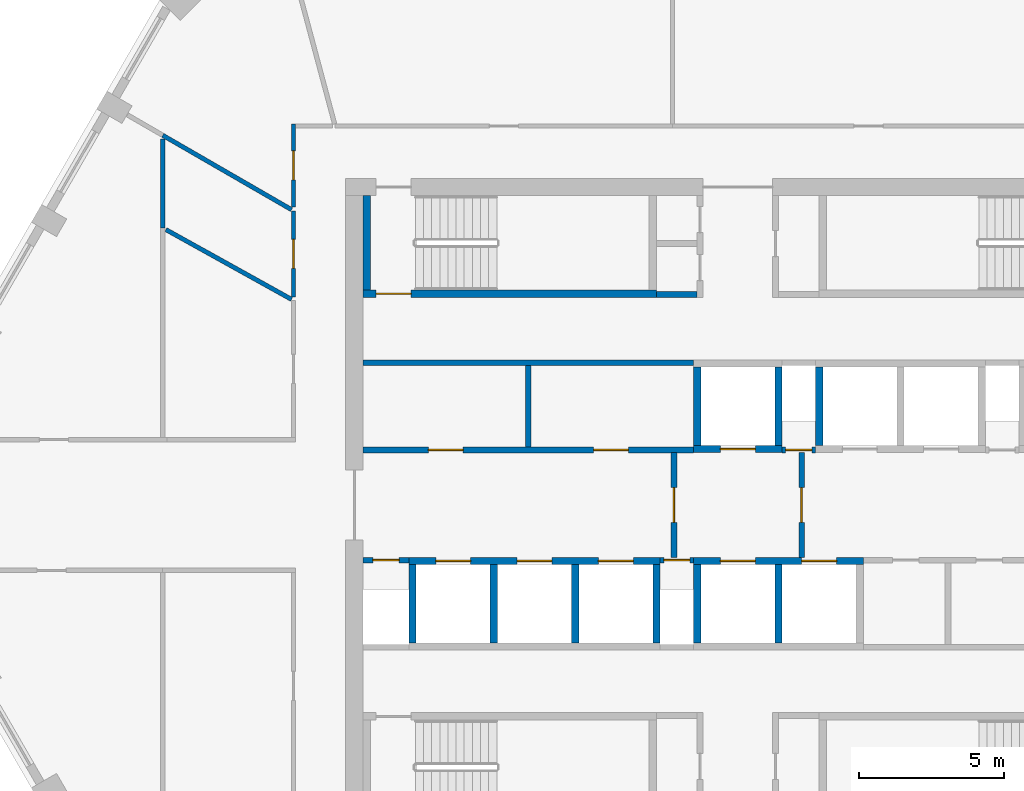
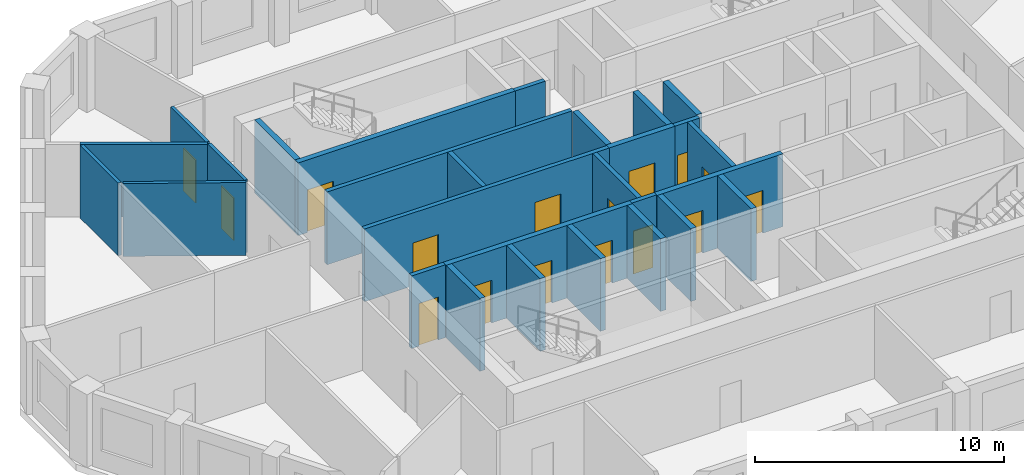
# One storey, part 3 of 7: 28 walls, 16 doors, 16 openings.
"""IFC4 building model written with IfcOpenShell, lengths in metres."""

from ifc_helpers import new_model, si_unit, direction, frame, frame_2d, origin, place, context, subcontext, project, spatial, polyline, rectangle, outline, extrude, material, layer, layer_set, type_object, element, fill, save


model = new_model("IFC4")

# Units and contexts
model_context = context("Model", 3, precision=1e-05, world=origin(), true_north=direction((0.0, 1.0)))
body_context = subcontext(model_context, "Body", "Model", "MODEL_VIEW")
ifc_project = project(units=[si_unit("LENGTHUNIT", "METRE"), si_unit("AREAUNIT", "SQUARE_METRE"), si_unit("VOLUMEUNIT", "CUBIC_METRE"), si_unit("PLANEANGLEUNIT", "RADIAN"), si_unit("MASSUNIT", "GRAM", prefix="KILO")], contexts=[model_context])

# Site, building, storey
site_placement = place(None, origin())
site = spatial("IfcSite", under=ifc_project, at=site_placement, CompositionType="ELEMENT")
building_placement = place(site_placement, origin())
building = spatial("IfcBuilding", under=site, at=building_placement, Name="Dhurran Vertical Campus", CompositionType="ELEMENT")
storey_placement = place(building_placement, frame((0.0, 0.0, 266.39990234375)))
storey = spatial("IfcBuildingStorey", under=building, at=storey_placement, Name="L66", CompositionType="ELEMENT", Elevation=266.39990234375)

# Wall, opening, door
ifc_material_1 = material(Name="Fire-rated masonry blockwork", Category="masonry")
ifc_layer_1 = layer(ifc_material_1, 0.199951171875)
ifc_layer_set_1 = layer_set([ifc_layer_1], Name="Fire-rated masonry blockwork")
wall_type_1 = type_object("IfcWallType", Name="co-FIRE-PARTITION-200", PredefinedType="PARTITIONING", material=ifc_layer_set_1)
wall_1_placement = place(storey_placement, frame((-2.199951171875, -1.800048828125, 0.0), z_axis=(0.0, 0.0, 1.0), x_axis=(0.0, 1.0, 0.0)))
wall_1 = element("IfcWall", 1, at=wall_1_placement, inside=storey, type_object=wall_type_1, Name="Firefighting lobby wall W L66", PredefinedType="PARTITIONING", context=body_context, shape_type="SweptSolid", body=[
    extrude(rectangle(XDim=3.60009765625, YDim=0.199951171875, at=frame_2d((1.800048828125, 0.0))), origin(), (0.0, 0.0, 1.0), 3.5751953125),
])
opening_1_placement = place(wall_1_placement, frame((1.199951171875, 0.0, 0.0)))
opening_1 = element("IfcOpeningElement", 2, at=opening_1_placement, cuts=wall_1, Name="Opening FL1", PredefinedType="OPENING", context=body_context, shape_type="SweptSolid", body=[
    extrude(rectangle(XDim=1.199951171875, YDim=2.10009765625, at=frame_2d((0.60009765625, 1.050048828125))), frame((0.0, 0.10986328125, 0.0), z_axis=(0.0, -1.0, 0.0), x_axis=(1.0, 0.0, 0.0)), (0.0, 0.0, 1.0), 0.219970703125),
])
ifc_material_2 = material(Name="Fire-rated steel door set", Category="steel")
door_type_1 = type_object("IfcDoorType", Name="co-D-FFLOBBY 1200x2100", OperationType="SINGLE_SWING_LEFT", PredefinedType="DOOR", material=ifc_material_2)
door_1_placement = place(opening_1_placement, origin())
door_1 = element("IfcDoor", 3, at=door_1_placement, inside=storey, type_object=door_type_1, Name="Firefighting lobby door W L66", OperationType="SINGLE_SWING_LEFT", OverallHeight=2.10009765625, OverallWidth=1.199951171875, PredefinedType="DOOR", context=body_context, shape_type="SweptSolid", body=[
    extrude(rectangle(XDim=1.199951171875, YDim=2.10009765625, at=frame_2d((0.60009765625, 1.050048828125))), frame((0.0, 0.02490234375, 0.0), z_axis=(0.0, -1.0, 0.0), x_axis=(1.0, 0.0, 0.0)), (0.0, 0.0, 1.0), 0.050048828125),
])
fill(opening_1, door_1)

wall_2_placement = place(storey_placement, frame((2.199951171875, -1.800048828125, 0.0), z_axis=(0.0, 0.0, 1.0), x_axis=(0.0, 1.0, 0.0)))
wall_2 = element("IfcWall", 4, at=wall_2_placement, inside=storey, type_object=wall_type_1, Name="Firefighting lobby wall E L66", PredefinedType="PARTITIONING", context=body_context, shape_type="SweptSolid", body=[
    extrude(rectangle(XDim=3.60009765625, YDim=0.199951171875, at=frame_2d((1.800048828125, 0.0))), origin(), (0.0, 0.0, 1.0), 3.5751953125),
])
opening_2_placement = place(wall_2_placement, frame((1.199951171875, 0.0, 0.0)))
opening_2 = element("IfcOpeningElement", 5, at=opening_2_placement, cuts=wall_2, Name="Opening FL2", PredefinedType="OPENING", context=body_context, shape_type="SweptSolid", body=[
    extrude(rectangle(XDim=1.199951171875, YDim=2.10009765625, at=frame_2d((0.60009765625, 1.050048828125))), frame((0.0, 0.10986328125, 0.0), z_axis=(0.0, -1.0, 0.0), x_axis=(1.0, 0.0, 0.0)), (0.0, 0.0, 1.0), 0.219970703125),
])
door_2_placement = place(opening_2_placement, origin())
door_2 = element("IfcDoor", 6, at=door_2_placement, inside=storey, type_object=door_type_1, Name="Firefighting lobby door E L66", OperationType="SINGLE_SWING_LEFT", OverallHeight=2.10009765625, OverallWidth=1.199951171875, PredefinedType="DOOR", context=body_context, shape_type="SweptSolid", body=[
    extrude(rectangle(XDim=1.199951171875, YDim=2.10009765625, at=frame_2d((0.60009765625, 1.050048828125))), frame((0.0, 0.02490234375, 0.0), z_axis=(0.0, -1.0, 0.0), x_axis=(1.0, 0.0, 0.0)), (0.0, 0.0, 1.0), 0.050048828125),
])
fill(opening_2, door_2)

# Walls
wall_3_placement = place(storey_placement, frame((-2.800048828125, 7.25, 0.0), z_axis=(0.0, 0.0, 1.0), x_axis=(1.0, 0.0, 0.0)))
element("IfcWall", 7, at=wall_3_placement, inside=storey, type_object=wall_type_1, Name="Core partition sl-NW-S L66", PredefinedType="PARTITIONING", context=body_context, shape_type="SweptSolid", body=[
    extrude(rectangle(XDim=1.400146484375, YDim=0.199951171875, at=frame_2d((0.7001953125, 0.0))), origin(), (0.0, 0.0, 1.0), 3.5751953125),
])
wall_4_placement = place(storey_placement, frame((-7.21240234375, 2.0, 0.0), z_axis=(0.0, 0.0, 1.0), x_axis=(0.0, 1.0, 0.0)))
element("IfcWall", 8, at=wall_4_placement, inside=storey, type_object=wall_type_1, Name="Core partition fr-N0-cut0 L66", PredefinedType="PARTITIONING", context=body_context, shape_type="SweptSolid", body=[
    extrude(rectangle(XDim=2.800048828125, YDim=0.199951171875, at=frame_2d((1.39990234375, 0.0))), origin(), (0.0, 0.0, 1.0), 3.5751953125),
])

# Wall, openings, doors
wall_5_placement = place(storey_placement, frame((-12.89990234375, 1.89990234375, 0.0), z_axis=(0.0, 0.0, 1.0), x_axis=(1.0, 0.0, 0.0)))
wall_5 = element("IfcWall", 9, at=wall_5_placement, inside=storey, type_object=wall_type_1, Name="Core partition fr-N0-f L66", PredefinedType="PARTITIONING", context=body_context, shape_type="SweptSolid", body=[
    extrude(rectangle(XDim=11.375, YDim=0.199951171875, at=frame_2d((5.6875, 0.0))), origin(), (0.0, 0.0, 1.0), 3.5751953125),
])
opening_3_placement = place(wall_5_placement, frame((2.243896484375, 0.0, 0.0)))
opening_3 = element("IfcOpeningElement", 10, at=opening_3_placement, cuts=wall_5, Name="Opening T19-C6", PredefinedType="OPENING", context=body_context, shape_type="SweptSolid", body=[
    extrude(rectangle(XDim=1.199951171875, YDim=2.10009765625, at=frame_2d((0.60009765625, 1.050048828125))), frame((0.0, 0.10986328125, 0.0), z_axis=(0.0, -1.0, 0.0), x_axis=(1.0, 0.0, 0.0)), (0.0, 0.0, 1.0), 0.219970703125),
])
opening_4_placement = place(wall_5_placement, frame((7.931396484375, 0.0, 0.0)))
opening_4 = element("IfcOpeningElement", 11, at=opening_4_placement, cuts=wall_5, Name="Opening T19-C7", PredefinedType="OPENING", context=body_context, shape_type="SweptSolid", body=[
    extrude(rectangle(XDim=1.199951171875, YDim=2.10009765625, at=frame_2d((0.60009765625, 1.050048828125))), frame((0.0, 0.10986328125, 0.0), z_axis=(0.0, -1.0, 0.0), x_axis=(1.0, 0.0, 0.0)), (0.0, 0.0, 1.0), 0.219970703125),
])
ifc_material_3 = material(Name="Fire-rated steel door set", Category="steel")
door_type_2 = type_object("IfcDoorType", Name="co-D-ROOM-PASSAGE 1200x2100", OperationType="SINGLE_SWING_RIGHT", PredefinedType="DOOR", material=ifc_material_3)
door_3_placement = place(opening_3_placement, origin())
door_3 = element("IfcDoor", 12, at=door_3_placement, inside=storey, type_object=door_type_2, Name="Store door L66", OperationType="SINGLE_SWING_RIGHT", OverallHeight=2.10009765625, OverallWidth=1.199951171875, PredefinedType="DOOR", context=body_context, shape_type="SweptSolid", body=[
    extrude(rectangle(XDim=1.199951171875, YDim=2.10009765625, at=frame_2d((0.60009765625, 1.050048828125))), frame((0.0, 0.02490234375, 0.0), z_axis=(0.0, -1.0, 0.0), x_axis=(1.0, 0.0, 0.0)), (0.0, 0.0, 1.0), 0.050048828125),
])
fill(opening_3, door_3)
door_4_placement = place(opening_4_placement, origin())
door_4 = element("IfcDoor", 13, at=door_4_placement, inside=storey, type_object=door_type_2, Name="Housekeeping store door L66", OperationType="SINGLE_SWING_RIGHT", OverallHeight=2.10009765625, OverallWidth=1.199951171875, PredefinedType="DOOR", context=body_context, shape_type="SweptSolid", body=[
    extrude(rectangle(XDim=1.199951171875, YDim=2.10009765625, at=frame_2d((0.60009765625, 1.050048828125))), frame((0.0, 0.02490234375, 0.0), z_axis=(0.0, -1.0, 0.0), x_axis=(1.0, 0.0, 0.0)), (0.0, 0.0, 1.0), 0.050048828125),
])
fill(opening_4, door_4)

# Wall
wall_6_placement = place(storey_placement, frame((-12.89990234375, 4.89990234375, 0.0), z_axis=(0.0, 0.0, 1.0), x_axis=(1.0, 0.0, 0.0)))
element("IfcWall", 14, at=wall_6_placement, inside=storey, type_object=wall_type_1, Name="Core partition fr-N0-b L66", PredefinedType="PARTITIONING", context=body_context, shape_type="SweptSolid", body=[
    extrude(rectangle(XDim=11.375, YDim=0.199951171875, at=frame_2d((5.6875, 0.0))), origin(), (0.0, 0.0, 1.0), 3.5751953125),
])

# Wall, opening, door
wall_7_placement = place(storey_placement, frame((1.52490234375, 1.89990234375, 0.0), z_axis=(0.0, 0.0, 1.0), x_axis=(1.0, 0.0, 0.0)))
wall_7 = element("IfcWall", 15, at=wall_7_placement, inside=storey, type_object=wall_type_1, Name="Core partition fr-N1-f L66", PredefinedType="PARTITIONING", context=body_context, shape_type="SweptSolid", body=[
    extrude(rectangle(XDim=1.150146484375, YDim=0.199951171875, at=frame_2d((0.5751953125, 0.0))), origin(), (0.0, 0.0, 1.0), 3.5751953125),
])
opening_5_placement = place(wall_7_placement, frame((0.125, 0.0, 0.0)))
opening_5 = element("IfcOpeningElement", 16, at=opening_5_placement, cuts=wall_7, Name="Opening T19-C8", PredefinedType="OPENING", context=body_context, shape_type="SweptSolid", body=[
    extrude(rectangle(XDim=0.89990234375, YDim=2.10009765625, at=frame_2d((0.449951171875, 1.050048828125))), frame((0.0, 0.10986328125, 0.0), z_axis=(0.0, -1.0, 0.0), x_axis=(1.0, 0.0, 0.0)), (0.0, 0.0, 1.0), 0.219970703125),
])
ifc_material_4 = material(Name="Fire-rated timber door set", Category="wood")
door_type_3 = type_object("IfcDoorType", Name="co-D-ROOM 900x2100", OperationType="SINGLE_SWING_LEFT", PredefinedType="DOOR", material=ifc_material_4)
door_5_placement = place(opening_5_placement, origin())
door_5 = element("IfcDoor", 17, at=door_5_placement, inside=storey, type_object=door_type_3, Name="Water riser door L66", OperationType="SINGLE_SWING_LEFT", OverallHeight=2.10009765625, OverallWidth=0.89990234375, PredefinedType="DOOR", context=body_context, shape_type="SweptSolid", body=[
    extrude(rectangle(XDim=0.89990234375, YDim=2.10009765625, at=frame_2d((0.449951171875, 1.050048828125))), frame((0.0, 0.02490234375, 0.0), z_axis=(0.0, -1.0, 0.0), x_axis=(1.0, 0.0, 0.0)), (0.0, 0.0, 1.0), 0.050048828125),
])
fill(opening_5, door_5)

wall_8_placement = place(storey_placement, frame((-12.89990234375, -1.89990234375, 0.0), z_axis=(0.0, 0.0, 1.0), x_axis=(1.0, 0.0, 0.0)))
wall_8 = element("IfcWall", 18, at=wall_8_placement, inside=storey, type_object=wall_type_1, Name="Core partition fr-S0-f L66", PredefinedType="PARTITIONING", context=body_context, shape_type="SweptSolid", body=[
    extrude(rectangle(XDim=1.574951171875, YDim=0.199951171875, at=frame_2d((0.78759765625, 0.0))), origin(), (0.0, 0.0, 1.0), 3.5751953125),
])
opening_6_placement = place(wall_8_placement, frame((0.33740234375, 0.0, 0.0)))
opening_6 = element("IfcOpeningElement", 19, at=opening_6_placement, cuts=wall_8, Name="Opening T19-C10", PredefinedType="OPENING", context=body_context, shape_type="SweptSolid", body=[
    extrude(rectangle(XDim=0.89990234375, YDim=2.10009765625, at=frame_2d((0.449951171875, 1.050048828125))), frame((0.0, 0.10986328125, 0.0), z_axis=(0.0, -1.0, 0.0), x_axis=(1.0, 0.0, 0.0)), (0.0, 0.0, 1.0), 0.219970703125),
])
door_6_placement = place(opening_6_placement, origin())
door_6 = element("IfcDoor", 20, at=door_6_placement, inside=storey, type_object=door_type_3, Name="Electrical riser door L66", OperationType="SINGLE_SWING_LEFT", OverallHeight=2.10009765625, OverallWidth=0.89990234375, PredefinedType="DOOR", context=body_context, shape_type="SweptSolid", body=[
    extrude(rectangle(XDim=0.89990234375, YDim=2.10009765625, at=frame_2d((0.449951171875, 1.050048828125))), frame((0.0, 0.02490234375, 0.0), z_axis=(0.0, -1.0, 0.0), x_axis=(1.0, 0.0, 0.0)), (0.0, 0.0, 1.0), 0.050048828125),
])
fill(opening_6, door_6)

wall_9_placement = place(storey_placement, frame((-2.675048828125, -1.89990234375, 0.0), z_axis=(0.0, 0.0, 1.0), x_axis=(1.0, 0.0, 0.0)))
wall_9 = element("IfcWall", 21, at=wall_9_placement, inside=storey, type_object=wall_type_1, Name="Core partition fr-S1-f L66", PredefinedType="PARTITIONING", context=body_context, shape_type="SweptSolid", body=[
    extrude(rectangle(XDim=1.150146484375, YDim=0.199951171875, at=frame_2d((0.5751953125, 0.0))), origin(), (0.0, 0.0, 1.0), 3.5751953125),
])
opening_7_placement = place(wall_9_placement, frame((0.125, 0.0, 0.0)))
opening_7 = element("IfcOpeningElement", 22, at=opening_7_placement, cuts=wall_9, Name="Opening T19-C11", PredefinedType="OPENING", context=body_context, shape_type="SweptSolid", body=[
    extrude(rectangle(XDim=0.89990234375, YDim=2.10009765625, at=frame_2d((0.449951171875, 1.050048828125))), frame((0.0, 0.10986328125, 0.0), z_axis=(0.0, -1.0, 0.0), x_axis=(1.0, 0.0, 0.0)), (0.0, 0.0, 1.0), 0.219970703125),
])
door_7_placement = place(opening_7_placement, origin())
door_7 = element("IfcDoor", 23, at=door_7_placement, inside=storey, type_object=door_type_3, Name="Water riser door L66", OperationType="SINGLE_SWING_LEFT", OverallHeight=2.10009765625, OverallWidth=0.89990234375, PredefinedType="DOOR", context=body_context, shape_type="SweptSolid", body=[
    extrude(rectangle(XDim=0.89990234375, YDim=2.10009765625, at=frame_2d((0.449951171875, 1.050048828125))), frame((0.0, 0.02490234375, 0.0), z_axis=(0.0, -1.0, 0.0), x_axis=(1.0, 0.0, 0.0)), (0.0, 0.0, 1.0), 0.050048828125),
])
fill(opening_7, door_7)

ifc_material_5 = material(Name="Concrete C50/60", Category="concrete")
ifc_layer_2 = layer(ifc_material_5, 0.25)
ifc_layer_set_2 = layer_set([ifc_layer_2], Name="Concrete C50/60")
wall_type_2 = type_object("IfcWallType", Name="co-SHAFT-FRONT-250", PredefinedType="SHEAR", material=ifc_layer_set_2)
wall_10_placement = place(storey_placement, frame((-1.52490234375, 1.925048828125, 0.0), z_axis=(0.0, 0.0, 1.0), x_axis=(1.0, 0.0, 0.0)))
wall_10 = element("IfcWall", 24, at=wall_10_placement, inside=storey, type_object=wall_type_2, Name="Lift landing wall N L66", PredefinedType="SHEAR", context=body_context, shape_type="SweptSolid", body=[
    extrude(rectangle(XDim=3.0498046875, YDim=0.25, at=frame_2d((1.52490234375, 0.0))), origin(), (0.0, 0.0, 1.0), 3.5751953125),
])
opening_8_placement = place(wall_10_placement, frame((0.925048828125, 0.0, 0.0)))
opening_8 = element("IfcOpeningElement", 25, at=opening_8_placement, cuts=wall_10, Name="Opening LD", PredefinedType="OPENING", context=body_context, shape_type="SweptSolid", body=[
    extrude(rectangle(XDim=1.199951171875, YDim=2.10009765625, at=frame_2d((0.60009765625, 1.050048828125))), frame((0.0, 0.135009765625, 0.0), z_axis=(0.0, -1.0, 0.0), x_axis=(1.0, 0.0, 0.0)), (0.0, 0.0, 1.0), 0.27001953125),
])
ifc_material_6 = material(Name="Stainless steel landing door", Category="steel")
door_type_4 = type_object("IfcDoorType", Name="co-D-LANDING 1200x2100", OperationType="DOUBLE_DOOR_SLIDING", PredefinedType="DOOR", material=ifc_material_6)
door_8_placement = place(opening_8_placement, origin())
door_8 = element("IfcDoor", 26, at=door_8_placement, inside=storey, type_object=door_type_4, Name="Landing door FF1 L66", OperationType="DOUBLE_DOOR_SLIDING", OverallHeight=2.10009765625, OverallWidth=1.199951171875, PredefinedType="DOOR", context=body_context, shape_type="SweptSolid", body=[
    extrude(rectangle(XDim=1.199951171875, YDim=2.10009765625, at=frame_2d((0.60009765625, 1.050048828125))), frame((0.0, 0.02490234375, 0.0), z_axis=(0.0, -1.0, 0.0), x_axis=(1.0, 0.0, 0.0)), (0.0, 0.0, 1.0), 0.050048828125),
])
fill(opening_8, door_8)

# Wall, openings, doors
wall_11_placement = place(storey_placement, frame((-11.324951171875, -1.925048828125, 0.0), z_axis=(0.0, 0.0, 1.0), x_axis=(1.0, 0.0, 0.0)))
wall_11 = element("IfcWall", 27, at=wall_11_placement, inside=storey, type_object=wall_type_2, Name="Lift landing wall S L66", PredefinedType="SHEAR", context=body_context, shape_type="SweptSolid", body=[
    extrude(rectangle(XDim=8.64990234375, YDim=0.25, at=frame_2d((4.324951171875, 0.0))), origin(), (0.0, 0.0, 1.0), 3.5751953125),
])
opening_9_placement = place(wall_11_placement, frame((0.925048828125, 0.0, 0.0)))
opening_9 = element("IfcOpeningElement", 28, at=opening_9_placement, cuts=wall_11, Name="Opening LD", PredefinedType="OPENING", context=body_context, shape_type="SweptSolid", body=[
    extrude(rectangle(XDim=1.199951171875, YDim=2.10009765625, at=frame_2d((0.60009765625, 1.050048828125))), frame((0.0, 0.135009765625, 0.0), z_axis=(0.0, -1.0, 0.0), x_axis=(1.0, 0.0, 0.0)), (0.0, 0.0, 1.0), 0.27001953125),
])
opening_10_placement = place(wall_11_placement, frame((3.72509765625, 0.0, 0.0)))
opening_10 = element("IfcOpeningElement", 29, at=opening_10_placement, cuts=wall_11, Name="Opening LD", PredefinedType="OPENING", context=body_context, shape_type="SweptSolid", body=[
    extrude(rectangle(XDim=1.199951171875, YDim=2.10009765625, at=frame_2d((0.60009765625, 1.050048828125))), frame((0.0, 0.135009765625, 0.0), z_axis=(0.0, -1.0, 0.0), x_axis=(1.0, 0.0, 0.0)), (0.0, 0.0, 1.0), 0.27001953125),
])
opening_11_placement = place(wall_11_placement, frame((6.52490234375, 0.0, 0.0)))
opening_11 = element("IfcOpeningElement", 30, at=opening_11_placement, cuts=wall_11, Name="Opening LD", PredefinedType="OPENING", context=body_context, shape_type="SweptSolid", body=[
    extrude(rectangle(XDim=1.199951171875, YDim=2.10009765625, at=frame_2d((0.60009765625, 1.050048828125))), frame((0.0, 0.135009765625, 0.0), z_axis=(0.0, -1.0, 0.0), x_axis=(1.0, 0.0, 0.0)), (0.0, 0.0, 1.0), 0.27001953125),
])
door_9_placement = place(opening_9_placement, origin())
door_9 = element("IfcDoor", 31, at=door_9_placement, inside=storey, type_object=door_type_4, Name="Landing door HR3 L66", OperationType="DOUBLE_DOOR_SLIDING", OverallHeight=2.10009765625, OverallWidth=1.199951171875, PredefinedType="DOOR", context=body_context, shape_type="SweptSolid", body=[
    extrude(rectangle(XDim=1.199951171875, YDim=2.10009765625, at=frame_2d((0.60009765625, 1.050048828125))), frame((0.0, 0.02490234375, 0.0), z_axis=(0.0, -1.0, 0.0), x_axis=(1.0, 0.0, 0.0)), (0.0, 0.0, 1.0), 0.050048828125),
])
fill(opening_9, door_9)
door_10_placement = place(opening_10_placement, origin())
door_10 = element("IfcDoor", 32, at=door_10_placement, inside=storey, type_object=door_type_4, Name="Landing door HR4 L66", OperationType="DOUBLE_DOOR_SLIDING", OverallHeight=2.10009765625, OverallWidth=1.199951171875, PredefinedType="DOOR", context=body_context, shape_type="SweptSolid", body=[
    extrude(rectangle(XDim=1.199951171875, YDim=2.10009765625, at=frame_2d((0.60009765625, 1.050048828125))), frame((0.0, 0.02490234375, 0.0), z_axis=(0.0, -1.0, 0.0), x_axis=(1.0, 0.0, 0.0)), (0.0, 0.0, 1.0), 0.050048828125),
])
fill(opening_10, door_10)
door_11_placement = place(opening_11_placement, origin())
door_11 = element("IfcDoor", 33, at=door_11_placement, inside=storey, type_object=door_type_4, Name="Landing door HR5 L66", OperationType="DOUBLE_DOOR_SLIDING", OverallHeight=2.10009765625, OverallWidth=1.199951171875, PredefinedType="DOOR", context=body_context, shape_type="SweptSolid", body=[
    extrude(rectangle(XDim=1.199951171875, YDim=2.10009765625, at=frame_2d((0.60009765625, 1.050048828125))), frame((0.0, 0.02490234375, 0.0), z_axis=(0.0, -1.0, 0.0), x_axis=(1.0, 0.0, 0.0)), (0.0, 0.0, 1.0), 0.050048828125),
])
fill(opening_11, door_11)

wall_12_placement = place(storey_placement, frame((-1.52490234375, -1.925048828125, 0.0), z_axis=(0.0, 0.0, 1.0), x_axis=(1.0, 0.0, 0.0)))
wall_12 = element("IfcWall", 34, at=wall_12_placement, inside=storey, type_object=wall_type_2, Name="Lift landing wall S L66", PredefinedType="SHEAR", context=body_context, shape_type="SweptSolid", body=[
    extrude(rectangle(XDim=5.849853515625, YDim=0.25, at=frame_2d((2.9248046875, 0.0))), origin(), (0.0, 0.0, 1.0), 3.5751953125),
])
opening_12_placement = place(wall_12_placement, frame((0.925048828125, 0.0, 0.0)))
opening_12 = element("IfcOpeningElement", 35, at=opening_12_placement, cuts=wall_12, Name="Opening LD", PredefinedType="OPENING", context=body_context, shape_type="SweptSolid", body=[
    extrude(rectangle(XDim=1.199951171875, YDim=2.10009765625, at=frame_2d((0.60009765625, 1.050048828125))), frame((0.0, 0.135009765625, 0.0), z_axis=(0.0, -1.0, 0.0), x_axis=(1.0, 0.0, 0.0)), (0.0, 0.0, 1.0), 0.27001953125),
])
opening_13_placement = place(wall_12_placement, frame((3.72509765625, 0.0, 0.0)))
opening_13 = element("IfcOpeningElement", 36, at=opening_13_placement, cuts=wall_12, Name="Opening LD", PredefinedType="OPENING", context=body_context, shape_type="SweptSolid", body=[
    extrude(rectangle(XDim=1.199951171875, YDim=2.10009765625, at=frame_2d((0.60009765625, 1.050048828125))), frame((0.0, 0.135009765625, 0.0), z_axis=(0.0, -1.0, 0.0), x_axis=(1.0, 0.0, 0.0)), (0.0, 0.0, 1.0), 0.27001953125),
])
door_12_placement = place(opening_12_placement, origin())
door_12 = element("IfcDoor", 37, at=door_12_placement, inside=storey, type_object=door_type_4, Name="Landing door FF2 L66", OperationType="DOUBLE_DOOR_SLIDING", OverallHeight=2.10009765625, OverallWidth=1.199951171875, PredefinedType="DOOR", context=body_context, shape_type="SweptSolid", body=[
    extrude(rectangle(XDim=1.199951171875, YDim=2.10009765625, at=frame_2d((0.60009765625, 1.050048828125))), frame((0.0, 0.02490234375, 0.0), z_axis=(0.0, -1.0, 0.0), x_axis=(1.0, 0.0, 0.0)), (0.0, 0.0, 1.0), 0.050048828125),
])
fill(opening_12, door_12)
door_13_placement = place(opening_13_placement, origin())
door_13 = element("IfcDoor", 38, at=door_13_placement, inside=storey, type_object=door_type_4, Name="Landing door SV1 L66", OperationType="DOUBLE_DOOR_SLIDING", OverallHeight=2.10009765625, OverallWidth=1.199951171875, PredefinedType="DOOR", context=body_context, shape_type="SweptSolid", body=[
    extrude(rectangle(XDim=1.199951171875, YDim=2.10009765625, at=frame_2d((0.60009765625, 1.050048828125))), frame((0.0, 0.02490234375, 0.0), z_axis=(0.0, -1.0, 0.0), x_axis=(1.0, 0.0, 0.0)), (0.0, 0.0, 1.0), 0.050048828125),
])
fill(opening_13, door_13)

# Walls
ifc_material_7 = material(Name="Concrete C50/60", Category="concrete")
ifc_layer_3 = layer(ifc_material_7, 0.25)
ifc_layer_set_3 = layer_set([ifc_layer_3], Name="Concrete C50/60")
wall_type_3 = type_object("IfcWallType", Name="co-SHAFT-MASS-250", PredefinedType="SHEAR", material=ifc_layer_set_3)
wall_13_placement = place(storey_placement, origin())
element("IfcWall", 39, at=wall_13_placement, inside=storey, type_object=wall_type_3, Name="Lift shaft wall N L66 4", PredefinedType="SHEAR", context=body_context, shape_type="SweptSolid", body=[
    extrude(outline(polyline([(-1.52490234375, 2.050048828125), (-1.27490234375, 2.050048828125), (-1.27490234375, 4.75), (-1.52490234375, 4.75), (-1.52490234375, 2.050048828125)])), origin(), (0.0, 0.0, 1.0), 3.5751953125),
])
wall_14_placement = place(storey_placement, origin())
element("IfcWall", 40, at=wall_14_placement, inside=storey, type_object=wall_type_3, Name="Lift shaft wall N L66 5", PredefinedType="SHEAR", context=body_context, shape_type="SweptSolid", body=[
    extrude(outline(polyline([(1.27490234375, 2.050048828125), (1.52490234375, 2.050048828125), (1.52490234375, 4.75), (1.27490234375, 4.75), (1.27490234375, 2.050048828125)])), origin(), (0.0, 0.0, 1.0), 3.5751953125),
])
wall_15_placement = place(storey_placement, origin())
element("IfcWall", 41, at=wall_15_placement, inside=storey, type_object=wall_type_3, Name="Lift shaft wall N L66 6", PredefinedType="SHEAR", context=body_context, shape_type="SweptSolid", body=[
    extrude(outline(polyline([(2.675048828125, 2.050048828125), (2.925048828125, 2.050048828125), (2.925048828125, 4.75), (2.675048828125, 4.75), (2.675048828125, 2.050048828125)])), origin(), (0.0, 0.0, 1.0), 3.5751953125),
])
wall_16_placement = place(storey_placement, origin())
element("IfcWall", 42, at=wall_16_placement, inside=storey, type_object=wall_type_3, Name="Lift shaft wall S L66 3", PredefinedType="SHEAR", context=body_context, shape_type="SweptSolid", body=[
    extrude(outline(polyline([(-11.324951171875, -4.75), (-11.074951171875, -4.75), (-11.074951171875, -2.050048828125), (-11.324951171875, -2.050048828125), (-11.324951171875, -4.75)])), origin(), (0.0, 0.0, 1.0), 3.5751953125),
])
wall_17_placement = place(storey_placement, origin())
element("IfcWall", 43, at=wall_17_placement, inside=storey, type_object=wall_type_3, Name="Lift shaft wall S L66 4", PredefinedType="SHEAR", context=body_context, shape_type="SweptSolid", body=[
    extrude(outline(polyline([(-8.52490234375, -4.75), (-8.27490234375, -4.75), (-8.27490234375, -2.050048828125), (-8.52490234375, -2.050048828125), (-8.52490234375, -4.75)])), origin(), (0.0, 0.0, 1.0), 3.5751953125),
])
wall_18_placement = place(storey_placement, origin())
element("IfcWall", 44, at=wall_18_placement, inside=storey, type_object=wall_type_3, Name="Lift shaft wall S L66 5", PredefinedType="SHEAR", context=body_context, shape_type="SweptSolid", body=[
    extrude(outline(polyline([(-5.72509765625, -4.75), (-5.47509765625, -4.75), (-5.47509765625, -2.050048828125), (-5.72509765625, -2.050048828125), (-5.72509765625, -4.75)])), origin(), (0.0, 0.0, 1.0), 3.5751953125),
])
wall_19_placement = place(storey_placement, origin())
element("IfcWall", 45, at=wall_19_placement, inside=storey, type_object=wall_type_3, Name="Lift shaft wall S L66 6", PredefinedType="SHEAR", context=body_context, shape_type="SweptSolid", body=[
    extrude(outline(polyline([(-2.925048828125, -4.75), (-2.675048828125, -4.75), (-2.675048828125, -2.050048828125), (-2.925048828125, -2.050048828125), (-2.925048828125, -4.75)])), origin(), (0.0, 0.0, 1.0), 3.5751953125),
])
wall_20_placement = place(storey_placement, origin())
element("IfcWall", 46, at=wall_20_placement, inside=storey, type_object=wall_type_3, Name="Lift shaft wall S L66 7", PredefinedType="SHEAR", context=body_context, shape_type="SweptSolid", body=[
    extrude(outline(polyline([(-1.52490234375, -4.75), (-1.27490234375, -4.75), (-1.27490234375, -2.050048828125), (-1.52490234375, -2.050048828125), (-1.52490234375, -4.75)])), origin(), (0.0, 0.0, 1.0), 3.5751953125),
])
wall_21_placement = place(storey_placement, origin())
element("IfcWall", 47, at=wall_21_placement, inside=storey, type_object=wall_type_3, Name="Lift shaft wall S L66 8", PredefinedType="SHEAR", context=body_context, shape_type="SweptSolid", body=[
    extrude(outline(polyline([(1.27490234375, -4.75), (1.52490234375, -4.75), (1.52490234375, -2.050048828125), (1.27490234375, -2.050048828125), (1.27490234375, -4.75)])), origin(), (0.0, 0.0, 1.0), 3.5751953125),
])

# Wall, opening, door
ifc_material_8 = material(Name="Concrete C40/50", Category="concrete")
ifc_layer_4 = layer(ifc_material_8, 0.25)
ifc_layer_set_4 = layer_set([ifc_layer_4], Name="Concrete C40/50")
wall_type_4 = type_object("IfcWallType", Name="co-STAIR-WALL-250", PredefinedType="SHEAR", material=ifc_layer_set_4)
wall_22_placement = place(storey_placement, frame((-12.89990234375, 7.27490234375, 0.0), z_axis=(0.0, 0.0, 1.0), x_axis=(1.0, 0.0, 0.0)))
wall_22 = element("IfcWall", 48, at=wall_22_placement, inside=storey, type_object=wall_type_4, Name="Stair ST1 enclosure wall L66", PredefinedType="SHEAR", context=body_context, shape_type="SweptSolid", body=[
    extrude(rectangle(XDim=10.099853515625, YDim=0.25, at=frame_2d((5.0498046875, 0.0))), origin(), (0.0, 0.0, 1.0), 3.5751953125),
])
opening_14_placement = place(wall_22_placement, frame((0.449951171875, 0.0, 0.0)))
opening_14 = element("IfcOpeningElement", 49, at=opening_14_placement, cuts=wall_22, Name="Opening SD1", PredefinedType="OPENING", context=body_context, shape_type="SweptSolid", body=[
    extrude(rectangle(XDim=1.199951171875, YDim=2.10009765625, at=frame_2d((0.60009765625, 1.050048828125))), frame((0.0, 0.135009765625, 0.0), z_axis=(0.0, -1.0, 0.0), x_axis=(1.0, 0.0, 0.0)), (0.0, 0.0, 1.0), 0.27001953125),
])
ifc_material_9 = material(Name="Fire-rated steel door set", Category="steel")
door_type_5 = type_object("IfcDoorType", Name="co-D-STAIR 1200x2100", OperationType="SINGLE_SWING_LEFT", PredefinedType="DOOR", material=ifc_material_9)
door_14_placement = place(opening_14_placement, origin())
door_14 = element("IfcDoor", 50, at=door_14_placement, inside=storey, type_object=door_type_5, Name="Stair ST1 door L66", OperationType="SINGLE_SWING_LEFT", OverallHeight=2.10009765625, OverallWidth=1.199951171875, PredefinedType="DOOR", context=body_context, shape_type="SweptSolid", body=[
    extrude(rectangle(XDim=1.199951171875, YDim=2.10009765625, at=frame_2d((0.60009765625, 1.050048828125))), frame((0.0, 0.02490234375, 0.0), z_axis=(0.0, -1.0, 0.0), x_axis=(1.0, 0.0, 0.0)), (0.0, 0.0, 1.0), 0.050048828125),
])
fill(opening_14, door_14)

# Wall
wall_23_placement = place(storey_placement, frame((-12.77490234375, 7.39990234375, 0.0), z_axis=(0.0, 0.0, 1.0), x_axis=(0.0, 1.0, 0.0)))
element("IfcWall", 51, at=wall_23_placement, inside=storey, type_object=wall_type_4, Name="Stair ST1 enclosure wall L66", PredefinedType="SHEAR", context=body_context, shape_type="SweptSolid", body=[
    extrude(rectangle(XDim=3.25, YDim=0.25, at=frame_2d((1.625, 0.0))), origin(), (0.0, 0.0, 1.0), 3.5751953125),
])

# Wall, opening, door
ifc_material_10 = material(Name="Gypsum board corridor wall on steel studs", Category="steel")
ifc_layer_5 = layer(ifc_material_10, 0.14990234375)
ifc_layer_set_5 = layer_set([ifc_layer_5], Name="Gypsum board corridor wall on steel studs")
wall_type_5 = type_object("IfcWallType", Name="fl-CW-150 corridor wall", PredefinedType="PARTITIONING", material=ifc_layer_set_5)
wall_24_placement = place(storey_placement, frame((-15.300048828125, 10.132080078125, 0.0), z_axis=(0.0, 0.0, 1.0), x_axis=(0.0, -1.0, 0.0)))
wall_24 = element("IfcWall", 52, at=wall_24_placement, inside=storey, type_object=wall_type_5, Name="Partition 66-18", PredefinedType="PARTITIONING", context=body_context, shape_type="SweptSolid", body=[
    extrude(rectangle(XDim=2.963134765625, YDim=0.14990234375, at=frame_2d((1.4814453125, 0.0))), origin(), (0.0, 0.0, 1.0), 3.5751953125),
])
opening_15_placement = place(wall_24_placement, frame((0.9814453125, 0.0, 0.0)))
opening_15 = element("IfcOpeningElement", 53, at=opening_15_placement, cuts=wall_24, Name="Opening T19.05", PredefinedType="OPENING", context=body_context, shape_type="SweptSolid", body=[
    extrude(rectangle(XDim=1.0, YDim=2.10009765625, at=frame_2d((0.5, 1.050048828125))), frame((0.0, 0.0849609375, 0.0), z_axis=(0.0, -1.0, 0.0), x_axis=(1.0, 0.0, 0.0)), (0.0, 0.0, 1.0), 0.169921875),
])
ifc_material_11 = material(Name="Solid-core timber door set, fire-rated", Category="wood")
door_type_6 = type_object("IfcDoorType", Name="fl-D-1000x2100", OperationType="SINGLE_SWING_LEFT", PredefinedType="DOOR", material=ifc_material_11)
door_15_placement = place(opening_15_placement, origin())
door_15 = element("IfcDoor", 54, at=door_15_placement, inside=storey, type_object=door_type_6, Name="Door 66.05", OperationType="SINGLE_SWING_LEFT", OverallHeight=2.10009765625, OverallWidth=1.0, PredefinedType="DOOR", context=body_context, shape_type="SweptSolid", body=[
    extrude(rectangle(XDim=1.0, YDim=2.10009765625, at=frame_2d((0.5, 1.050048828125))), frame((0.0, 0.02490234375, 0.0), z_axis=(0.0, -1.0, 0.0), x_axis=(1.0, 0.0, 0.0)), (0.0, 0.0, 1.0), 0.050048828125),
])
fill(opening_15, door_15)

wall_25_placement = place(storey_placement, frame((-15.300048828125, 13.125, 0.0), z_axis=(0.0, 0.0, 1.0), x_axis=(0.0, -1.0, 0.0)))
wall_25 = element("IfcWall", 55, at=wall_25_placement, inside=storey, type_object=wall_type_5, Name="Partition 66-19", PredefinedType="PARTITIONING", context=body_context, shape_type="SweptSolid", body=[
    extrude(rectangle(XDim=2.863037109375, YDim=0.14990234375, at=frame_2d((1.431640625, 0.0))), origin(), (0.0, 0.0, 1.0), 3.5751953125),
])
opening_16_placement = place(wall_25_placement, frame((0.931396484375, 0.0, 0.0)))
opening_16 = element("IfcOpeningElement", 56, at=opening_16_placement, cuts=wall_25, Name="Opening T19.06", PredefinedType="OPENING", context=body_context, shape_type="SweptSolid", body=[
    extrude(rectangle(XDim=1.0, YDim=2.10009765625, at=frame_2d((0.5, 1.050048828125))), frame((0.0, 0.0849609375, 0.0), z_axis=(0.0, -1.0, 0.0), x_axis=(1.0, 0.0, 0.0)), (0.0, 0.0, 1.0), 0.169921875),
])
door_16_placement = place(opening_16_placement, origin())
door_16 = element("IfcDoor", 57, at=door_16_placement, inside=storey, type_object=door_type_6, Name="Door 66.06", OperationType="SINGLE_SWING_RIGHT", OverallHeight=2.10009765625, OverallWidth=1.0, PredefinedType="DOOR", context=body_context, shape_type="SweptSolid", body=[
    extrude(rectangle(XDim=1.0, YDim=2.10009765625, at=frame_2d((0.5, 1.050048828125))), frame((0.0, 0.02490234375, 0.0), z_axis=(0.0, -1.0, 0.0), x_axis=(1.0, 0.0, 0.0)), (0.0, 0.0, 1.0), 0.050048828125),
])
fill(opening_16, door_16)

# Walls
ifc_material_12 = material(Name="Gypsum board partition on steel studs", Category="steel")
ifc_layer_6 = layer(ifc_material_12, 0.14990234375)
ifc_layer_set_6 = layer_set([ifc_layer_6], Name="Gypsum board partition on steel studs")
wall_type_6 = type_object("IfcWallType", Name="fl-PW-150 fixed partition", PredefinedType="PARTITIONING", material=ifc_layer_set_6)
wall_26_placement = place(storey_placement, frame((-19.800048828125, 12.60009765625, 0.0), z_axis=(0.0, 0.0, 1.0), x_axis=(0.0, -1.0, 0.0)))
element("IfcWall", 58, at=wall_26_placement, inside=storey, type_object=wall_type_6, Name="Partition 66-09", PredefinedType="PARTITIONING", context=body_context, shape_type="SweptSolid", body=[
    extrude(rectangle(XDim=3.05712890625, YDim=0.14990234375, at=frame_2d((1.528564453125, 0.0))), origin(), (0.0, 0.0, 1.0), 3.5751953125),
])
wall_27_placement = place(storey_placement, frame((-19.690673828125, 9.482421875, 0.0), z_axis=(0.0, 0.0, 1.0), x_axis=(0.874224770133, -0.485521422067, 0.0)))
element("IfcWall", 59, at=wall_27_placement, inside=storey, type_object=wall_type_6, Name="Partition 66-10", PredefinedType="PARTITIONING", context=body_context, shape_type="SweptSolid", body=[
    extrude(rectangle(XDim=4.947509765625, YDim=0.14990234375, at=frame_2d((2.4736328125, 0.0))), origin(), (0.0, 0.0, 1.0), 3.5751953125),
])
wall_28_placement = place(storey_placement, frame((-19.800048828125, 12.72998046875, 0.0), z_axis=(0.0, 0.0, 1.0), x_axis=(0.866028396804, -0.499994815902, 0.0)))
element("IfcWall", 60, at=wall_28_placement, inside=storey, type_object=wall_type_6, Name="Partition 66-11", PredefinedType="PARTITIONING", context=body_context, shape_type="SweptSolid", body=[
    extrude(rectangle(XDim=5.12109375, YDim=0.14990234375, at=frame_2d((2.560546875, 0.0))), origin(), (0.0, 0.0, 1.0), 3.5751953125),
])

save(model, "model.ifc")
